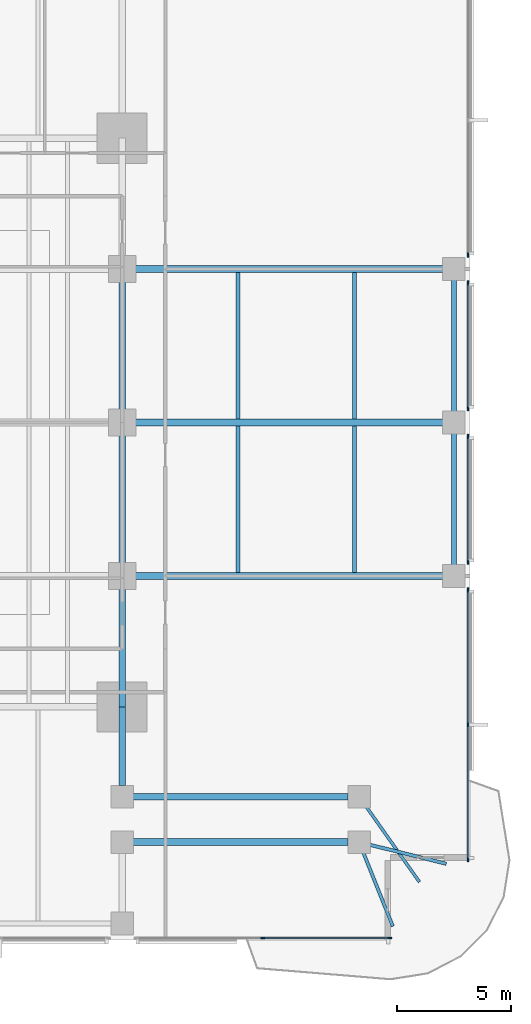
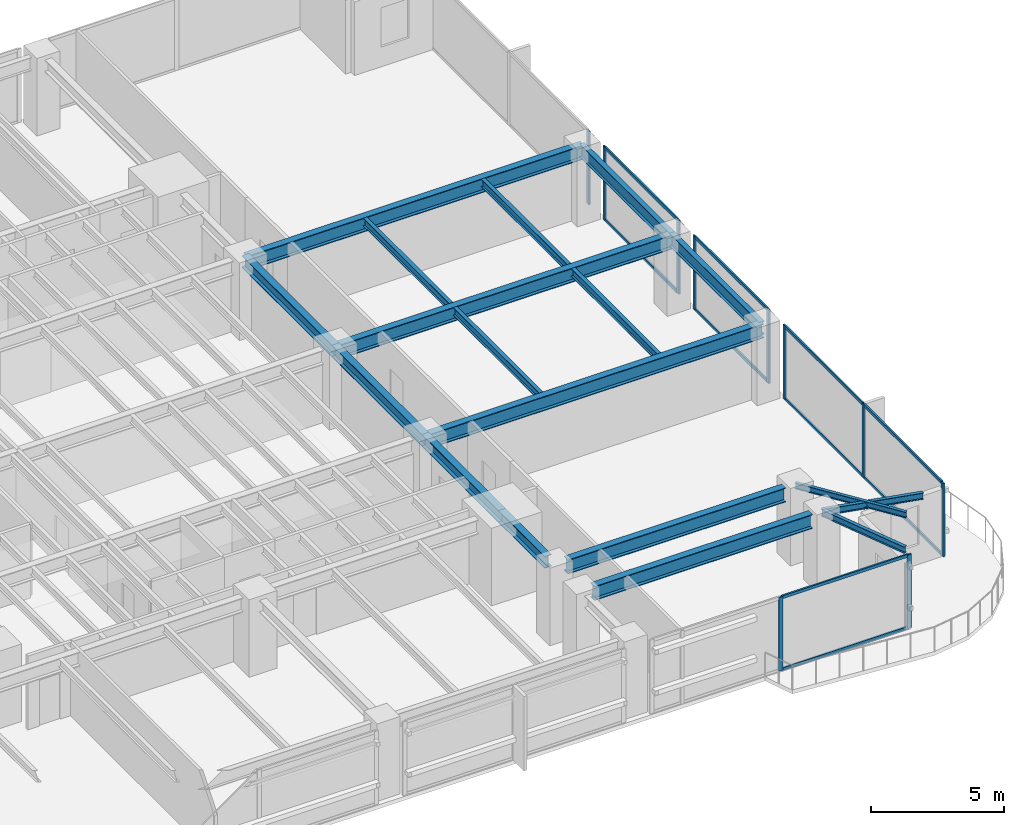
# One storey, part 4 of 15: 20 members, 18 beams, 5 elements without a shape of their own.
"""IFC4 building model written with IfcOpenShell, lengths in metres."""

from ifc_helpers import new_model, si_unit, direction, frame, origin, origin_2d, place, context, subcontext, project, spatial, rectangle, i_section, extrude, material, layer, layer_set, material_profile, profile_set, type_object, element, aggregate, save


model = new_model("IFC4")

# Units and contexts
model_context = context("Model", 3, precision=1e-05, world=origin(), true_north=direction((0.0, 1.0)))
body_context = subcontext(model_context, "Body", "Model", "MODEL_VIEW")
ifc_project = project(units=[si_unit("LENGTHUNIT", "METRE"), si_unit("AREAUNIT", "SQUARE_METRE"), si_unit("VOLUMEUNIT", "CUBIC_METRE"), si_unit("PLANEANGLEUNIT", "RADIAN"), si_unit("MASSUNIT", "GRAM", prefix="KILO")], contexts=[model_context])

# Site, building, storey
site_placement = place(None, origin())
site = spatial("IfcSite", under=ifc_project, at=site_placement, CompositionType="ELEMENT")
building_placement = place(site_placement, origin())
building = spatial("IfcBuilding", under=site, at=building_placement, Name="Kinhvarn Gate Tower", CompositionType="ELEMENT")
storey_placement = place(building_placement, frame((0.0, 0.0, 54.0)))
storey = spatial("IfcBuildingStorey", under=building, at=storey_placement, Name="L13", CompositionType="ELEMENT", Elevation=54.0)

# Curtain wall, members
ifc_material_1 = material(Name="Anodised aluminium AW-6063", Category="aluminium")
ifc_layer = layer(ifc_material_1, 0.179931640625)
ifc_layer_set = layer_set([ifc_layer], Name="Anodised aluminium AW-6063")
curtain_wall_type = type_object("IfcCurtainWallType", Name="CW-SYS-2", PredefinedType="NOTDEFINED", material=ifc_layer_set)
curtain_wall_1_placement = place(storey_placement, origin())
curtain_wall_1 = element("IfcCurtainWall", 1, at=curtain_wall_1_placement, inside=storey, type_object=curtain_wall_type, Name="Curtain Wall CW2 (L13)", PredefinedType="NOTDEFINED")
ifc_material_profile_1 = material_profile(ifc_material_1, rectangle(XDim=0.070068359375, YDim=0.179931640625, at=origin_2d()), Name="ALU 70x180")
ifc_profile_set_1 = profile_set([ifc_material_profile_1], Name="Anodised aluminium AW-6063")
member_type_1 = type_object("IfcMemberType", Name="CW-MUL-180", PredefinedType="MULLION", material=ifc_profile_set_1)
member_1_placement = place(storey_placement, frame((44.389892578125, 2.590087890625, 0.0), z_axis=(0.0, 0.0, 1.0), x_axis=(0.0, 1.0, 0.0)))
member_1 = element("IfcMember", 2, at=member_1_placement, type_object=member_type_1, Name="CW2 mullion 2", PredefinedType="MULLION", context=body_context, shape_type="SweptSolid", body=[
    extrude(rectangle(XDim=0.070068359375, YDim=0.179931640625, at=origin_2d()), origin(), (0.0, 0.0, 1.0), 3.3701171875),
])
member_2_placement = place(storey_placement, frame((49.965087890625, 2.590087890625, 0.0), z_axis=(0.0, 0.0, 1.0), x_axis=(0.0, 1.0, 0.0)))
member_2 = element("IfcMember", 3, at=member_2_placement, type_object=member_type_1, Name="CW2 mullion 3", PredefinedType="MULLION", context=body_context, shape_type="SweptSolid", body=[
    extrude(rectangle(XDim=0.070068359375, YDim=0.179931640625, at=origin_2d()), origin(), (0.0, 0.0, 1.0), 3.3701171875),
])

curtain_wall_2_placement = place(storey_placement, origin())
curtain_wall_2 = element("IfcCurtainWall", 4, at=curtain_wall_2_placement, inside=storey, type_object=curtain_wall_type, Name="Curtain Wall CW2 (L13)", PredefinedType="NOTDEFINED")
member_3_placement = place(storey_placement, frame((53.409912109375, 6.034912109375, 0.0), z_axis=(0.0, 0.0, 1.0), x_axis=(-1.0, 0.0, 0.0)))
member_3 = element("IfcMember", 5, at=member_3_placement, type_object=member_type_1, Name="CW2 mullion 1", PredefinedType="MULLION", context=body_context, shape_type="SweptSolid", body=[
    extrude(rectangle(XDim=0.070068359375, YDim=0.179931640625, at=origin_2d()), origin(), (0.0, 0.0, 1.0), 3.3701171875),
])
member_4_placement = place(storey_placement, frame((53.409912109375, 11.9599609375, 0.0), z_axis=(0.0, 0.0, 1.0), x_axis=(-1.0, 0.0, 0.0)))
member_4 = element("IfcMember", 6, at=member_4_placement, type_object=member_type_1, Name="CW2 mullion 2", PredefinedType="MULLION", context=body_context, shape_type="SweptSolid", body=[
    extrude(rectangle(XDim=0.070068359375, YDim=0.179931640625, at=origin_2d()), origin(), (0.0, 0.0, 1.0), 3.3701171875),
])
member_5_placement = place(storey_placement, frame((53.409912109375, 17.885009765625, 0.0), z_axis=(0.0, 0.0, 1.0), x_axis=(-1.0, 0.0, 0.0)))
member_5 = element("IfcMember", 7, at=member_5_placement, type_object=member_type_1, Name="CW2 mullion 3", PredefinedType="MULLION", context=body_context, shape_type="SweptSolid", body=[
    extrude(rectangle(XDim=0.070068359375, YDim=0.179931640625, at=origin_2d()), origin(), (0.0, 0.0, 1.0), 3.3701171875),
])

curtain_wall_3_placement = place(storey_placement, origin())
curtain_wall_3 = element("IfcCurtainWall", 8, at=curtain_wall_3_placement, inside=storey, type_object=curtain_wall_type, Name="Curtain Wall CW2 (L13)", PredefinedType="NOTDEFINED")
member_6_placement = place(storey_placement, frame((53.409912109375, 19.114990234375, 0.0), z_axis=(0.0, 0.0, 1.0), x_axis=(-1.0, 0.0, 0.0)))
member_6 = element("IfcMember", 9, at=member_6_placement, type_object=member_type_1, Name="CW2 mullion 1", PredefinedType="MULLION", context=body_context, shape_type="SweptSolid", body=[
    extrude(rectangle(XDim=0.070068359375, YDim=0.179931640625, at=origin_2d()), origin(), (0.0, 0.0, 1.0), 3.3701171875),
])
member_7_placement = place(storey_placement, frame((53.409912109375, 24.635009765625, 0.0), z_axis=(0.0, 0.0, 1.0), x_axis=(-1.0, 0.0, 0.0)))
member_7 = element("IfcMember", 10, at=member_7_placement, type_object=member_type_1, Name="CW2 mullion 2", PredefinedType="MULLION", context=body_context, shape_type="SweptSolid", body=[
    extrude(rectangle(XDim=0.070068359375, YDim=0.179931640625, at=origin_2d()), origin(), (0.0, 0.0, 1.0), 3.3701171875),
])

curtain_wall_4_placement = place(storey_placement, origin())
curtain_wall_4 = element("IfcCurtainWall", 11, at=curtain_wall_4_placement, inside=storey, type_object=curtain_wall_type, Name="Curtain Wall CW2 (L13)", PredefinedType="NOTDEFINED")
member_8_placement = place(storey_placement, frame((53.409912109375, 25.864990234375, 0.0), z_axis=(0.0, 0.0, 1.0), x_axis=(-1.0, 0.0, 0.0)))
member_8 = element("IfcMember", 12, at=member_8_placement, type_object=member_type_1, Name="CW2 mullion 1", PredefinedType="MULLION", context=body_context, shape_type="SweptSolid", body=[
    extrude(rectangle(XDim=0.070068359375, YDim=0.179931640625, at=origin_2d()), origin(), (0.0, 0.0, 1.0), 3.3701171875),
])
member_9_placement = place(storey_placement, frame((53.409912109375, 31.385009765625, 0.0), z_axis=(0.0, 0.0, 1.0), x_axis=(-1.0, 0.0, 0.0)))
member_9 = element("IfcMember", 13, at=member_9_placement, type_object=member_type_1, Name="CW2 mullion 2", PredefinedType="MULLION", context=body_context, shape_type="SweptSolid", body=[
    extrude(rectangle(XDim=0.070068359375, YDim=0.179931640625, at=origin_2d()), origin(), (0.0, 0.0, 1.0), 3.3701171875),
])

# Curtain wall, member
curtain_wall_5_placement = place(storey_placement, origin())
curtain_wall_5 = element("IfcCurtainWall", 14, at=curtain_wall_5_placement, inside=storey, type_object=curtain_wall_type, Name="Curtain Wall CW2 (L13)", PredefinedType="NOTDEFINED")
member_10_placement = place(storey_placement, frame((53.409912109375, 32.614990234375, 0.0), z_axis=(0.0, 0.0, 1.0), x_axis=(-1.0, 0.0, 0.0)))
member_10 = element("IfcMember", 15, at=member_10_placement, type_object=member_type_1, Name="CW2 mullion 1", PredefinedType="MULLION", context=body_context, shape_type="SweptSolid", body=[
    extrude(rectangle(XDim=0.070068359375, YDim=0.179931640625, at=origin_2d()), origin(), (0.0, 0.0, 1.0), 3.3701171875),
])
aggregate(curtain_wall_5, [member_10])

# Member
ifc_material_profile_2 = material_profile(ifc_material_1, rectangle(XDim=0.070068359375, YDim=0.139892578125, at=origin_2d()), Name="ALU 70x140")
ifc_profile_set_2 = profile_set([ifc_material_profile_2], Name="Anodised aluminium AW-6063")
member_type_2 = type_object("IfcMemberType", Name="CW-TRN-140", PredefinedType="USERDEFINED", material=ifc_profile_set_2)
member_11_placement = place(storey_placement, frame((44.425048828125, 2.590087890625, 0.034912109375), z_axis=(1.0, 0.0, 0.0), x_axis=(0.0, 1.0, 0.0)))
member_11 = element("IfcMember", 16, at=member_11_placement, type_object=member_type_2, Name="CW2 transom 2.1", ObjectType="TRANSOM", PredefinedType="USERDEFINED", context=body_context, shape_type="SweptSolid", body=[
    extrude(rectangle(XDim=0.070068359375, YDim=0.139892578125, at=origin_2d()), origin(), (0.0, 0.0, 1.0), 5.5048828125),
])

member_12_placement = place(storey_placement, frame((44.425048828125, 2.590087890625, 3.3349609375), z_axis=(1.0, 0.0, 0.0), x_axis=(0.0, 1.0, 0.0)))
member_12 = element("IfcMember", 17, at=member_12_placement, type_object=member_type_2, Name="CW2 transom 2.2", ObjectType="TRANSOM", PredefinedType="USERDEFINED", context=body_context, shape_type="SweptSolid", body=[
    extrude(rectangle(XDim=0.070068359375, YDim=0.139892578125, at=origin_2d()), origin(), (0.0, 0.0, 1.0), 5.5048828125),
])

aggregate(curtain_wall_1, [member_1, member_2, member_11, member_12])

member_13_placement = place(storey_placement, frame((53.409912109375, 6.070068359375, 0.034912109375), z_axis=(0.0, 1.0, 0.0), x_axis=(-1.0, 0.0, 0.0)))
member_13 = element("IfcMember", 18, at=member_13_placement, type_object=member_type_2, Name="CW2 transom 1.1", ObjectType="TRANSOM", PredefinedType="USERDEFINED", context=body_context, shape_type="SweptSolid", body=[
    extrude(rectangle(XDim=0.070068359375, YDim=0.139892578125, at=origin_2d()), origin(), (0.0, 0.0, 1.0), 5.85498046875),
])

member_14_placement = place(storey_placement, frame((53.409912109375, 6.070068359375, 3.3349609375), z_axis=(0.0, 1.0, 0.0), x_axis=(-1.0, 0.0, 0.0)))
member_14 = element("IfcMember", 19, at=member_14_placement, type_object=member_type_2, Name="CW2 transom 1.2", ObjectType="TRANSOM", PredefinedType="USERDEFINED", context=body_context, shape_type="SweptSolid", body=[
    extrude(rectangle(XDim=0.070068359375, YDim=0.139892578125, at=origin_2d()), origin(), (0.0, 0.0, 1.0), 5.85498046875),
])

member_15_placement = place(storey_placement, frame((53.409912109375, 11.9951171875, 0.034912109375), z_axis=(0.0, 1.0, 0.0), x_axis=(-1.0, 0.0, 0.0)))
member_15 = element("IfcMember", 20, at=member_15_placement, type_object=member_type_2, Name="CW2 transom 2.1", ObjectType="TRANSOM", PredefinedType="USERDEFINED", context=body_context, shape_type="SweptSolid", body=[
    extrude(rectangle(XDim=0.070068359375, YDim=0.139892578125, at=origin_2d()), origin(), (0.0, 0.0, 1.0), 5.85498046875),
])

member_16_placement = place(storey_placement, frame((53.409912109375, 11.9951171875, 3.3349609375), z_axis=(0.0, 1.0, 0.0), x_axis=(-1.0, 0.0, 0.0)))
member_16 = element("IfcMember", 21, at=member_16_placement, type_object=member_type_2, Name="CW2 transom 2.2", ObjectType="TRANSOM", PredefinedType="USERDEFINED", context=body_context, shape_type="SweptSolid", body=[
    extrude(rectangle(XDim=0.070068359375, YDim=0.139892578125, at=origin_2d()), origin(), (0.0, 0.0, 1.0), 5.85498046875),
])

aggregate(curtain_wall_2, [member_3, member_4, member_5, member_13, member_14, member_15, member_16])

member_17_placement = place(storey_placement, frame((53.409912109375, 19.14990234375, 0.034912109375), z_axis=(0.0, 1.0, 0.0), x_axis=(-1.0, 0.0, 0.0)))
member_17 = element("IfcMember", 22, at=member_17_placement, type_object=member_type_2, Name="CW2 transom 1.1", ObjectType="TRANSOM", PredefinedType="USERDEFINED", context=body_context, shape_type="SweptSolid", body=[
    extrude(rectangle(XDim=0.070068359375, YDim=0.139892578125, at=origin_2d()), origin(), (0.0, 0.0, 1.0), 5.4501953125),
])

member_18_placement = place(storey_placement, frame((53.409912109375, 19.14990234375, 3.3349609375), z_axis=(0.0, 1.0, 0.0), x_axis=(-1.0, 0.0, 0.0)))
member_18 = element("IfcMember", 23, at=member_18_placement, type_object=member_type_2, Name="CW2 transom 1.2", ObjectType="TRANSOM", PredefinedType="USERDEFINED", context=body_context, shape_type="SweptSolid", body=[
    extrude(rectangle(XDim=0.070068359375, YDim=0.139892578125, at=origin_2d()), origin(), (0.0, 0.0, 1.0), 5.4501953125),
])

aggregate(curtain_wall_3, [member_6, member_7, member_17, member_18])

member_19_placement = place(storey_placement, frame((53.409912109375, 25.89990234375, 0.034912109375), z_axis=(0.0, 1.0, 0.0), x_axis=(-1.0, 0.0, 0.0)))
member_19 = element("IfcMember", 24, at=member_19_placement, type_object=member_type_2, Name="CW2 transom 1.1", ObjectType="TRANSOM", PredefinedType="USERDEFINED", context=body_context, shape_type="SweptSolid", body=[
    extrude(rectangle(XDim=0.070068359375, YDim=0.139892578125, at=origin_2d()), origin(), (0.0, 0.0, 1.0), 5.4501953125),
])

member_20_placement = place(storey_placement, frame((53.409912109375, 25.89990234375, 3.3349609375), z_axis=(0.0, 1.0, 0.0), x_axis=(-1.0, 0.0, 0.0)))
member_20 = element("IfcMember", 25, at=member_20_placement, type_object=member_type_2, Name="CW2 transom 1.2", ObjectType="TRANSOM", PredefinedType="USERDEFINED", context=body_context, shape_type="SweptSolid", body=[
    extrude(rectangle(XDim=0.070068359375, YDim=0.139892578125, at=origin_2d()), origin(), (0.0, 0.0, 1.0), 5.4501953125),
])

aggregate(curtain_wall_4, [member_8, member_9, member_19, member_20])

# Beams
ifc_material_2 = material(Name="Steel S355", Category="steel")
ifc_material_profile_3 = material_profile(ifc_material_2, i_section(OverallWidth=0.300048828125, OverallDepth=0.550048828125, WebThickness=0.014892578125, FlangeThickness=0.029052734375, at=origin_2d()), Name="HEB 550")
ifc_profile_set_3 = profile_set([ifc_material_profile_3], Name="Steel S355")
beam_type_1 = type_object("IfcBeamType", Name="STL-HEB550", PredefinedType="BEAM", material=ifc_profile_set_3)
beam_1_placement = place(storey_placement, frame((38.199951171875, 9.284912109375, 3.094970703125), z_axis=(0.0, 1.0, 0.0), x_axis=(-1.0, 0.0, 0.0)))
element("IfcBeam", 26, at=beam_1_placement, inside=storey, type_object=beam_type_1, Name="Floor Beam PG-15 (L13 MCE-S-A2)", PredefinedType="BEAM", context=body_context, shape_type="SweptSolid", body=[
    extrude(i_section(OverallWidth=0.300048828125, OverallDepth=0.550048828125, WebThickness=0.014892578125, FlangeThickness=0.029052734375, at=origin_2d()), origin(), (0.0, 0.0, 1.0), 3.465087890625),
])
beam_2_placement = place(storey_placement, frame((38.199951171875, 12.75, 3.094970703125), z_axis=(0.0, 1.0, 0.0), x_axis=(-1.0, 0.0, 0.0)))
element("IfcBeam", 27, at=beam_2_placement, inside=storey, type_object=beam_type_1, Name="Floor Beam PG-15 (L13 MG-E-12)", PredefinedType="BEAM", context=body_context, shape_type="SweptSolid", body=[
    extrude(i_section(OverallWidth=0.300048828125, OverallDepth=0.550048828125, WebThickness=0.014892578125, FlangeThickness=0.029052734375, at=origin_2d()), origin(), (0.0, 0.0, 1.0), 5.75),
])
for number, where, z_axis, x_axis, name in (
    (28, (38.199951171875, 18.5, 3.094970703125), (0.0, 1.0, 0.0), (-1.0, 0.0, 0.0), "Floor Beam PG-15 (L13 MG-E-18)"),
    (29, (38.199951171875, 25.25, 3.094970703125), (0.0, 1.0, 0.0), (-1.0, 0.0, 0.0), "Floor Beam PG-15 (L13 MG-E-25)"),
):
    element("IfcBeam", number, at=place(storey_placement, frame(where, z_axis=z_axis, x_axis=x_axis)), inside=storey, type_object=beam_type_1, Name=name, PredefinedType="BEAM", context=body_context, shape_type="SweptSolid", body=[
        extrude(i_section(OverallWidth=0.300048828125, OverallDepth=0.550048828125, WebThickness=0.014892578125, FlangeThickness=0.029052734375, at=origin_2d()), origin(), (0.0, 0.0, 1.0), 6.75),
    ])
ifc_material_profile_4 = material_profile(ifc_material_2, i_section(OverallWidth=0.300048828125, OverallDepth=0.64990234375, WebThickness=0.01611328125, FlangeThickness=0.031005859375, at=origin_2d()), Name="HEB 650")
ifc_profile_set_4 = profile_set([ifc_material_profile_4], Name="Steel S355")
beam_type_2 = type_object("IfcBeamType", Name="STL-HEB650", PredefinedType="BEAM", material=ifc_profile_set_4)
for number, where, z_axis, x_axis, name in (
    (30, (38.68505859375, 8.800048828125, 3.044921875), (1.0, 0.0, 0.0), (0.0, 1.0, 0.0), "Floor Beam PG-17 (L13 SP-SE1B)"),
    (31, (38.68505859375, 6.800048828125, 3.044921875), (1.0, 0.0, 0.0), (0.0, 1.0, 0.0), "Floor Beam PG-17 (L13 SP-SE1A)"),
):
    element("IfcBeam", number, at=place(storey_placement, frame(where, z_axis=z_axis, x_axis=x_axis)), inside=storey, type_object=beam_type_2, Name=name, PredefinedType="BEAM", context=body_context, shape_type="SweptSolid", body=[
        extrude(i_section(OverallWidth=0.300048828125, OverallDepth=0.64990234375, WebThickness=0.01611328125, FlangeThickness=0.031005859375, at=origin_2d()), origin(), (0.0, 0.0, 1.0), 9.449951171875),
    ])
for number, where, z_axis, x_axis, name in (
    (32, (38.199951171875, 18.5, 3.044921875), (1.0, 0.0, 0.0), (0.0, 1.0, 0.0), "Floor Beam PG-17 (L13 EW2-Y18)"),
    (33, (38.199951171875, 25.25, 3.044921875), (1.0, 0.0, 0.0), (0.0, 1.0, 0.0), "Floor Beam PG-17 (L13 EW2-Y25)"),
    (34, (38.199951171875, 32.0, 3.044921875), (1.0, 0.0, 0.0), (0.0, 1.0, 0.0), "Floor Beam PG-17 (L13 EW2-Y32)"),
):
    element("IfcBeam", number, at=place(storey_placement, frame(where, z_axis=z_axis, x_axis=x_axis)), inside=storey, type_object=beam_type_2, Name=name, PredefinedType="BEAM", context=body_context, shape_type="SweptSolid", body=[
        extrude(i_section(OverallWidth=0.300048828125, OverallDepth=0.64990234375, WebThickness=0.01611328125, FlangeThickness=0.031005859375, at=origin_2d()), origin(), (0.0, 0.0, 1.0), 14.580078125),
    ])
ifc_material_profile_5 = material_profile(ifc_material_2, i_section(OverallWidth=0.135009765625, OverallDepth=0.27001953125, WebThickness=0.006591796875, FlangeThickness=0.01025390625, at=origin_2d()), Name="IPE 270")
ifc_profile_set_5 = profile_set([ifc_material_profile_5], Name="Steel S355")
beam_type_3 = type_object("IfcBeamType", Name="STL-IPE270", PredefinedType="JOIST", material=ifc_profile_set_5)
beam_3_placement = place(storey_placement, frame((48.6201171875, 8.800048828125, 3.235107421875), z_axis=(0.57709644225, -0.81667600451, 0.0), x_axis=(0.81667600451, 0.57709644225, 0.0)))
element("IfcBeam", 35, at=beam_3_placement, inside=storey, type_object=beam_type_3, Name="Floor Joist SB-01 (L13 BAL-B3-L14)", PredefinedType="JOIST", context=body_context, shape_type="SweptSolid", body=[
    extrude(i_section(OverallWidth=0.135009765625, OverallDepth=0.27001953125, WebThickness=0.006591796875, FlangeThickness=0.01025390625, at=origin_2d()), origin(), (0.0, 0.0, 1.0), 4.591796875),
])
ifc_material_profile_6 = material_profile(ifc_material_2, i_section(OverallWidth=0.14990234375, OverallDepth=0.300048828125, WebThickness=0.007080078125, FlangeThickness=0.0107421875, at=origin_2d()), Name="IPE 300")
ifc_profile_set_6 = profile_set([ifc_material_profile_6], Name="Steel S355")
beam_type_4 = type_object("IfcBeamType", Name="STL-IPE300", PredefinedType="JOIST", material=ifc_profile_set_6)
beam_4_placement = place(storey_placement, frame((48.6201171875, 6.800048828125, 3.219970703125), z_axis=(0.97058851083, -0.240744558911, 0.0), x_axis=(0.240744558911, 0.97058851083, 0.0)))
element("IfcBeam", 36, at=beam_4_placement, inside=storey, type_object=beam_type_4, Name="Floor Joist SB-02 (L13 BAL-B1-L14)", PredefinedType="JOIST", context=body_context, shape_type="SweptSolid", body=[
    extrude(i_section(OverallWidth=0.14990234375, OverallDepth=0.300048828125, WebThickness=0.007080078125, FlangeThickness=0.0107421875, at=origin_2d()), origin(), (0.0, 0.0, 1.0), 3.94580078125),
])
beam_5_placement = place(storey_placement, frame((48.6201171875, 6.800048828125, 3.219970703125), z_axis=(0.371390676354, -0.928476690885, 0.0), x_axis=(0.928476690885, 0.371390676354, 0.0)))
element("IfcBeam", 37, at=beam_5_placement, inside=storey, type_object=beam_type_4, Name="Floor Joist SB-02 (L13 BAL-B2-L14)", PredefinedType="JOIST", context=body_context, shape_type="SweptSolid", body=[
    extrude(i_section(OverallWidth=0.14990234375, OverallDepth=0.300048828125, WebThickness=0.007080078125, FlangeThickness=0.0107421875, at=origin_2d()), origin(), (0.0, 0.0, 1.0), 3.98486328125),
])
ifc_material_profile_7 = material_profile(ifc_material_2, i_section(OverallWidth=0.169921875, OverallDepth=0.360107421875, WebThickness=0.008056640625, FlangeThickness=0.0126953125, at=origin_2d()), Name="IPE 360")
ifc_profile_set_7 = profile_set([ifc_material_profile_7], Name="Steel S355")
beam_type_5 = type_object("IfcBeamType", Name="STL-IPE360", PredefinedType="JOIST", material=ifc_profile_set_7)
for number, where, z_axis, x_axis, name in (
    (38, (43.300048828125, 18.64990234375, 3.18994140625), (0.0, 1.0, 0.0), (-1.0, 0.0, 0.0), "Floor Joist SB-04 (L13 JC-X433-1)"),
    (39, (43.300048828125, 25.39990234375, 3.18994140625), (0.0, 1.0, 0.0), (-1.0, 0.0, 0.0), "Floor Joist SB-04 (L13 JC-X433-2)"),
    (40, (48.409912109375, 18.64990234375, 3.18994140625), (0.0, 1.0, 0.0), (-1.0, 0.0, 0.0), "Floor Joist SB-04 (L13 JC-X484-1)"),
    (41, (48.409912109375, 25.39990234375, 3.18994140625), (0.0, 1.0, 0.0), (-1.0, 0.0, 0.0), "Floor Joist SB-04 (L13 JC-X484-2)"),
):
    element("IfcBeam", number, at=place(storey_placement, frame(where, z_axis=z_axis, x_axis=x_axis)), inside=storey, type_object=beam_type_5, Name=name, PredefinedType="JOIST", context=body_context, shape_type="SweptSolid", body=[
        extrude(i_section(OverallWidth=0.169921875, OverallDepth=0.360107421875, WebThickness=0.008056640625, FlangeThickness=0.0126953125, at=origin_2d()), origin(), (0.0, 0.0, 1.0), 6.4501953125),
    ])
ifc_material_profile_8 = material_profile(ifc_material_2, i_section(OverallWidth=0.219970703125, OverallDepth=0.60009765625, WebThickness=0.011962890625, FlangeThickness=0.01904296875, at=origin_2d()), Name="IPE 600")
ifc_profile_set_8 = profile_set([ifc_material_profile_8], Name="Steel S355")
beam_type_6 = type_object("IfcBeamType", Name="STL-IPE600", PredefinedType="SPANDREL", material=ifc_profile_set_8)
for number, where, z_axis, x_axis, name in (
    (42, (52.780029296875, 18.5, 3.070068359375), (0.0, 1.0, 0.0), (-1.0, 0.0, 0.0), "Floor Spandrel SB-09 (L13 SP-E2)"),
    (43, (52.780029296875, 25.25, 3.070068359375), (0.0, 1.0, 0.0), (-1.0, 0.0, 0.0), "Floor Spandrel SB-09 (L13 SP-E3)"),
):
    element("IfcBeam", number, at=place(storey_placement, frame(where, z_axis=z_axis, x_axis=x_axis)), inside=storey, type_object=beam_type_6, Name=name, PredefinedType="SPANDREL", context=body_context, shape_type="SweptSolid", body=[
        extrude(i_section(OverallWidth=0.219970703125, OverallDepth=0.60009765625, WebThickness=0.011962890625, FlangeThickness=0.01904296875, at=origin_2d()), origin(), (0.0, 0.0, 1.0), 6.75),
    ])

save(model, "model.ifc")
